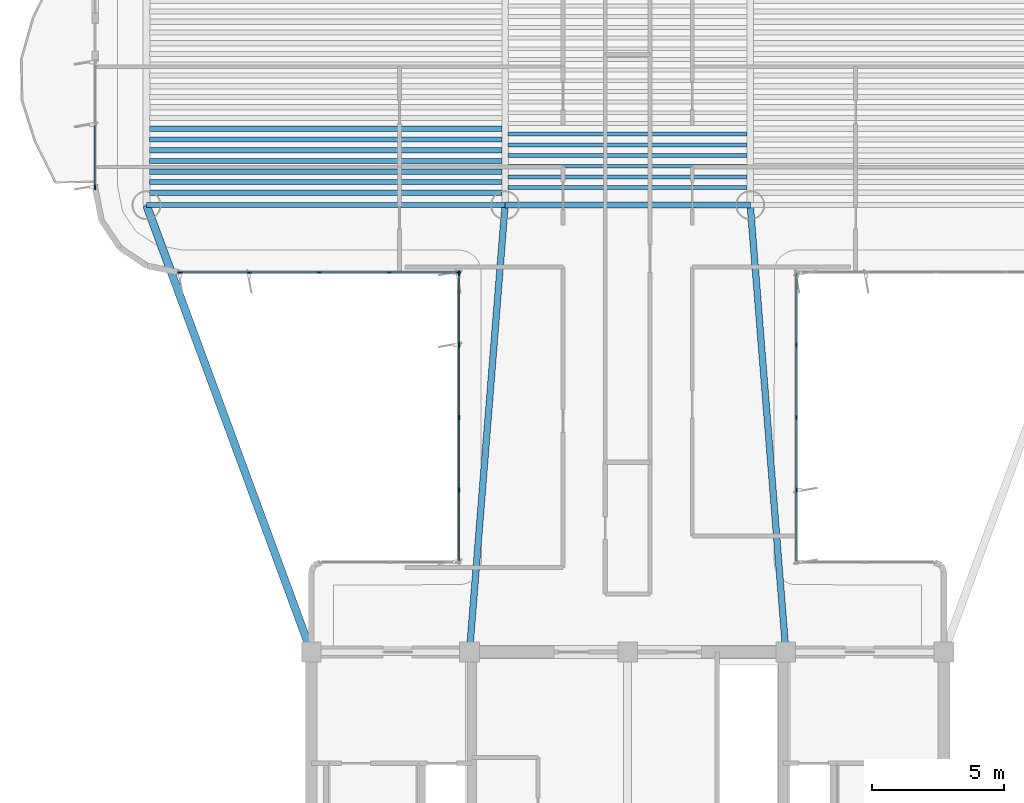
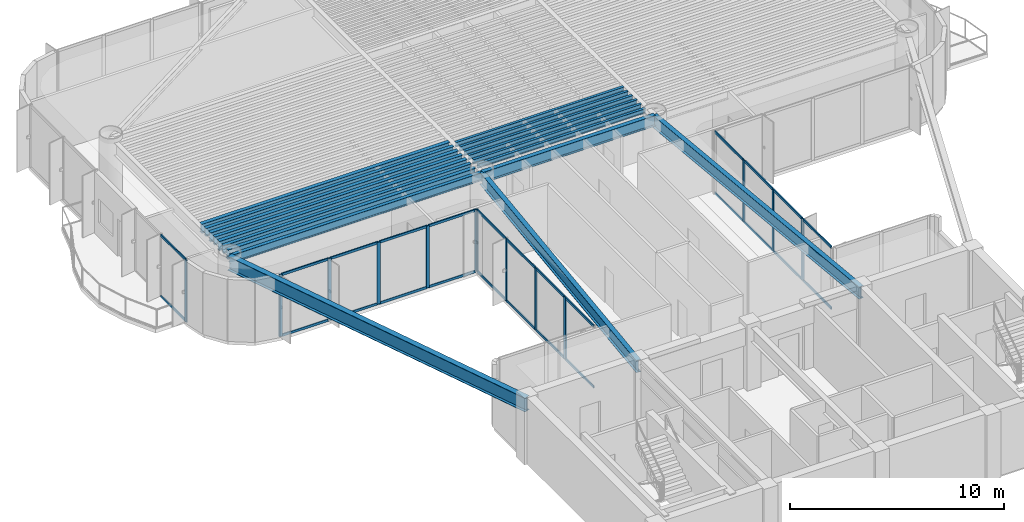
# One storey, part 3 of 14: 39 members, 18 beams, 4 elements without a shape of their own.
"""IFC4 building model written with IfcOpenShell, lengths in metres."""

from ifc_helpers import new_model, si_unit, direction, frame, origin, origin_2d, place, context, subcontext, project, spatial, rectangle, i_section, extrude, source, transform, mapped, material, layer, layer_set, material_profile, profile_set, type_object, element, aggregate, save


model = new_model("IFC4")

# Units and contexts
model_context = context("Model", 3, precision=1e-05, world=origin(), true_north=direction((0.0, 1.0)))
body_context = subcontext(model_context, "Body", "Model", "MODEL_VIEW")
ifc_project = project(units=[si_unit("LENGTHUNIT", "METRE"), si_unit("AREAUNIT", "SQUARE_METRE"), si_unit("VOLUMEUNIT", "CUBIC_METRE"), si_unit("PLANEANGLEUNIT", "RADIAN"), si_unit("MASSUNIT", "GRAM", prefix="KILO")], contexts=[model_context])

# Site, building, storey
site_placement = place(None, origin())
site = spatial("IfcSite", under=ifc_project, at=site_placement, CompositionType="ELEMENT")
building_placement = place(site_placement, origin())
building = spatial("IfcBuilding", under=site, at=building_placement, Name="Brelvock Crest Care Tower", CompositionType="ELEMENT")
storey_placement = place(building_placement, frame((0.0, 0.0, 182.8798828125)))
storey = spatial("IfcBuildingStorey", under=building, at=storey_placement, Name="L46", CompositionType="ELEMENT", Elevation=182.8798828125)

# Beams
ifc_material_1 = material(Name="Steel Grade 350", Category="steel")
ifc_material_profile_1 = material_profile(ifc_material_1, i_section(OverallWidth=0.22900390625, OverallDepth=0.612060546875, WebThickness=0.011962890625, FlangeThickness=0.01953125, FilletRadius=0.013916015625, at=origin_2d()), Name="610UB125")
ifc_profile_set_1 = profile_set([ifc_material_profile_1], Name="Steel Grade 350")
beam_type_1 = type_object("IfcBeamType", Name="BM-G1", PredefinedType="BEAM", material=ifc_profile_set_1)
shared_shape_1 = source(origin(), body_context, "Body", "SweptSolid", [
    extrude(i_section(OverallWidth=0.22900390625, OverallDepth=0.612060546875, WebThickness=0.011962890625, FlangeThickness=0.01953125, FilletRadius=0.013916015625, at=origin_2d()), origin(), (0.0, 0.0, 1.0), 9.2998046875),
])
beam_1_placement = place(storey_placement, frame((31.35009765625, 34.949951171875, 3.22412109375), z_axis=(1.0, 0.0, 0.0), x_axis=(0.0, 1.0, 0.0)))
element("IfcBeam", 1, at=beam_1_placement, inside=storey, type_object=beam_type_1, Name="BM-TWR-L46-05", PredefinedType="BEAM", context=body_context, shape_type="MappedRepresentation", body=[
    mapped(shared_shape_1, transform((0.0, 0.0, 0.0), x_axis=(1.0, 0.0, 0.0), y_axis=(0.0, 1.0, 0.0), z_axis=(0.0, 0.0, 1.0), scale=1.0)),
])
ifc_material_profile_2 = material_profile(ifc_material_1, i_section(OverallWidth=0.14599609375, OverallDepth=0.256103515625, WebThickness=0.00634765625, FlangeThickness=0.010986328125, FilletRadius=0.0087890625, at=origin_2d()), Name="250UB37.3")
ifc_profile_set_2 = profile_set([ifc_material_profile_2], Name="Steel Grade 350")
beam_type_2 = type_object("IfcBeamType", Name="BM-J3", PredefinedType="JOIST", material=ifc_profile_set_2)
shared_shape_2 = source(origin(), body_context, "Body", "SweptSolid", [
    extrude(i_section(OverallWidth=0.14599609375, OverallDepth=0.256103515625, WebThickness=0.00634765625, FlangeThickness=0.010986328125, FilletRadius=0.0087890625, at=origin_2d()), origin(), (0.0, 0.0, 1.0), 9.06982421875),
])
for number, where, z_axis, x_axis, name in (
    (2, (31.465087890625, 35.618896484375, 3.402099609375), (1.0, 0.0, 0.0), (0.0, 1.0, 0.0), "BM-JH-L46-1"),
    (3, (31.465087890625, 36.02392578125, 3.402099609375), (1.0, 0.0, 0.0), (0.0, 1.0, 0.0), "BM-JH-L46-2"),
    (4, (31.465087890625, 36.42919921875, 3.402099609375), (1.0, 0.0, 0.0), (0.0, 1.0, 0.0), "BM-JH-L46-3"),
    (5, (31.465087890625, 36.834228515625, 3.402099609375), (1.0, 0.0, 0.0), (0.0, 1.0, 0.0), "BM-JH-L46-4"),
    (6, (31.465087890625, 37.239501953125, 3.402099609375), (1.0, 0.0, 0.0), (0.0, 1.0, 0.0), "BM-JH-L46-5"),
    (7, (31.465087890625, 37.64453125, 3.402099609375), (1.0, 0.0, 0.0), (0.0, 1.0, 0.0), "BM-JH-L46-6"),
):
    element("IfcBeam", number, at=place(storey_placement, frame(where, z_axis=z_axis, x_axis=x_axis)), inside=storey, type_object=beam_type_2, Name=name, PredefinedType="JOIST", context=body_context, shape_type="MappedRepresentation", body=[
        mapped(shared_shape_2, transform((0.0, 0.0, 0.0), x_axis=(1.0, 0.0, 0.0), y_axis=(0.0, 1.0, 0.0), z_axis=(0.0, 0.0, 1.0), scale=1.0)),
    ])
ifc_material_profile_3 = material_profile(ifc_material_1, i_section(OverallWidth=0.208984375, OverallDepth=0.532958984375, WebThickness=0.01025390625, FlangeThickness=0.015625, FilletRadius=0.013916015625, at=origin_2d()), Name="530UB92.4")
ifc_profile_set_3 = profile_set([ifc_material_profile_3], Name="Steel Grade 350")
beam_type_3 = type_object("IfcBeamType", Name="BM-G2", PredefinedType="BEAM", material=ifc_profile_set_3)
shared_shape_3 = source(origin(), body_context, "Body", "SweptSolid", [
    extrude(i_section(OverallWidth=0.208984375, OverallDepth=0.532958984375, WebThickness=0.01025390625, FlangeThickness=0.015625, FilletRadius=0.013916015625, at=origin_2d()), origin(), (0.0, 0.0, 1.0), 13.3701171875),
])
for number, where, z_axis, x_axis, name in (
    (8, (17.864990234375, 35.416259765625, 3.263671875), (1.0, 0.0, 0.0), (0.0, 1.0, 0.0), "BM-JW-L46-1"),
    (9, (17.864990234375, 36.2265625, 3.263671875), (1.0, 0.0, 0.0), (0.0, 1.0, 0.0), "BM-JW-L46-3"),
    (10, (17.864990234375, 37.036865234375, 3.263671875), (1.0, 0.0, 0.0), (0.0, 1.0, 0.0), "BM-JW-L46-5"),
    (11, (17.864990234375, 37.84716796875, 3.263671875), (1.0, 0.0, 0.0), (0.0, 1.0, 0.0), "BM-JW-L46-7"),
):
    element("IfcBeam", number, at=place(storey_placement, frame(where, z_axis=z_axis, x_axis=x_axis)), inside=storey, type_object=beam_type_3, Name=name, PredefinedType="BEAM", context=body_context, shape_type="MappedRepresentation", body=[
        mapped(shared_shape_3, transform((0.0, 0.0, 0.0), x_axis=(1.0, 0.0, 0.0), y_axis=(0.0, 1.0, 0.0), z_axis=(0.0, 0.0, 1.0), scale=1.0)),
    ])
ifc_material_profile_4 = material_profile(ifc_material_1, i_section(OverallWidth=0.19091796875, OverallDepth=0.4599609375, WebThickness=0.010009765625, FlangeThickness=0.01611328125, FilletRadius=0.011474609375, at=origin_2d()), Name="460UB82.1")
ifc_profile_set_4 = profile_set([ifc_material_profile_4], Name="Steel Grade 350")
beam_type_4 = type_object("IfcBeamType", Name="BM-G3", PredefinedType="BEAM", material=ifc_profile_set_4)
shared_shape_4 = source(origin(), body_context, "Body", "SweptSolid", [
    extrude(i_section(OverallWidth=0.19091796875, OverallDepth=0.4599609375, WebThickness=0.010009765625, FlangeThickness=0.01611328125, FilletRadius=0.011474609375, at=origin_2d()), origin(), (0.0, 0.0, 1.0), 13.3701171875),
])
for number, where, z_axis, x_axis, name in (
    (12, (17.864990234375, 35.8212890625, 3.300048828125), (1.0, 0.0, 0.0), (0.0, 1.0, 0.0), "BM-JW-L46-2"),
    (13, (17.864990234375, 36.631591796875, 3.300048828125), (1.0, 0.0, 0.0), (0.0, 1.0, 0.0), "BM-JW-L46-4"),
    (14, (17.864990234375, 37.44189453125, 3.300048828125), (1.0, 0.0, 0.0), (0.0, 1.0, 0.0), "BM-JW-L46-6"),
):
    element("IfcBeam", number, at=place(storey_placement, frame(where, z_axis=z_axis, x_axis=x_axis)), inside=storey, type_object=beam_type_4, Name=name, PredefinedType="BEAM", context=body_context, shape_type="MappedRepresentation", body=[
        mapped(shared_shape_4, transform((0.0, 0.0, 0.0), x_axis=(1.0, 0.0, 0.0), y_axis=(0.0, 1.0, 0.0), z_axis=(0.0, 0.0, 1.0), scale=1.0)),
    ])
ifc_material_profile_5 = material_profile(ifc_material_1, i_section(OverallWidth=0.19091796875, OverallDepth=0.4599609375, WebThickness=0.010009765625, FlangeThickness=0.01611328125, FilletRadius=0.011474609375, at=origin_2d()), Name="460UB82.1")
ifc_profile_set_5 = profile_set([ifc_material_profile_5], Name="Steel Grade 350")
beam_type_5 = type_object("IfcBeamType", Name="BM-SP2", PredefinedType="SPANDREL", material=ifc_profile_set_5)
shared_shape_5 = source(origin(), body_context, "Body", "SweptSolid", [
    extrude(i_section(OverallWidth=0.19091796875, OverallDepth=0.4599609375, WebThickness=0.010009765625, FlangeThickness=0.01611328125, FilletRadius=0.011474609375, at=origin_2d()), origin(), (0.0, 0.0, 1.0), 13.60009765625),
])
beam_2_placement = place(storey_placement, frame((17.75, 34.949951171875, 3.300048828125), z_axis=(1.0, 0.0, 0.0), x_axis=(0.0, 1.0, 0.0)))
element("IfcBeam", 15, at=beam_2_placement, inside=storey, type_object=beam_type_5, Name="BM-TWR-L46-03", PredefinedType="SPANDREL", context=body_context, shape_type="MappedRepresentation", body=[
    mapped(shared_shape_5, transform((0.0, 0.0, 0.0), x_axis=(1.0, 0.0, 0.0), y_axis=(0.0, 1.0, 0.0), z_axis=(0.0, 0.0, 1.0), scale=1.0)),
])
ifc_material_profile_6 = material_profile(ifc_material_1, i_section(OverallWidth=0.25, OverallDepth=0.699951171875, WebThickness=0.011962890625, FlangeThickness=0.02001953125, at=origin_2d()), Name="700WB150")
ifc_profile_set_6 = profile_set([ifc_material_profile_6], Name="Steel Grade 350")
beam_type_6 = type_object("IfcBeamType", Name="BM-G4", PredefinedType="BEAM", material=ifc_profile_set_6)
shared_shape_6 = source(origin(), body_context, "Body", "SweptSolid", [
    extrude(i_section(OverallWidth=0.25, OverallDepth=0.699951171875, WebThickness=0.011962890625, FlangeThickness=0.02001953125, at=origin_2d()), origin(), (0.0, 0.0, 1.0), 17.003662109375),
])
for number, where, z_axis, x_axis, name in (
    (16, (30.0, 18.0, 3.18017578125), (0.079400530776, 0.996842793881, 0.0), (-0.996842793881, 0.079400530776, 0.0), "BM-THRW-L46"),
    (17, (42.0, 18.0, 3.18017578125), (-0.079400530776, 0.996842793881, 0.0), (-0.996842793881, -0.079400530776, 0.0), "BM-THRE-L46"),
):
    element("IfcBeam", number, at=place(storey_placement, frame(where, z_axis=z_axis, x_axis=x_axis)), inside=storey, type_object=beam_type_6, Name=name, PredefinedType="BEAM", context=body_context, shape_type="MappedRepresentation", body=[
        mapped(shared_shape_6, transform((0.0, 0.0, 0.0), x_axis=(1.0, 0.0, 0.0), y_axis=(0.0, 1.0, 0.0), z_axis=(0.0, 0.0, 1.0), scale=1.0)),
    ])
ifc_material_profile_7 = material_profile(ifc_material_1, i_section(OverallWidth=0.300048828125, OverallDepth=0.800048828125, WebThickness=0.013916015625, FlangeThickness=0.02197265625, at=origin_2d()), Name="800WB192")
ifc_profile_set_7 = profile_set([ifc_material_profile_7], Name="Steel Grade 350")
beam_type_7 = type_object("IfcBeamType", Name="BM-G5", PredefinedType="BEAM", material=ifc_profile_set_7)
shared_shape_7 = source(origin(), body_context, "Body", "SweptSolid", [
    extrude(i_section(OverallWidth=0.300048828125, OverallDepth=0.800048828125, WebThickness=0.013916015625, FlangeThickness=0.02197265625, at=origin_2d()), origin(), (0.0, 0.0, 1.0), 18.0654296875),
])
beam_3_placement = place(storey_placement, frame((24.0, 18.0, 3.130126953125), z_axis=(-0.345962741309, 0.938248251597, 0.0), x_axis=(-0.938248251597, -0.345962741309, 0.0)))
element("IfcBeam", 18, at=beam_3_placement, inside=storey, type_object=beam_type_7, Name="BM-THRO-W-L46", PredefinedType="BEAM", context=body_context, shape_type="MappedRepresentation", body=[
    mapped(shared_shape_7, transform((0.0, 0.0, 0.0), x_axis=(1.0, 0.0, 0.0), y_axis=(0.0, 1.0, 0.0), z_axis=(0.0, 0.0, 1.0), scale=1.0)),
])

# Curtain wall, members
ifc_material_2 = material(Name="Dark Glass Double Glazed Low-E", Category="glass")
ifc_layer = layer(ifc_material_2, 0.22509765625, Name="CWS-4")
ifc_layer_set = layer_set([ifc_layer], Name="Dark Glass Double Glazed Low-E")
curtain_wall_type = type_object("IfcCurtainWallType", Name="CWS-4", PredefinedType="NOTDEFINED", material=ifc_layer_set)
curtain_wall_1_placement = place(storey_placement, origin())
curtain_wall_1 = element("IfcCurtainWall", 19, at=curtain_wall_1_placement, inside=storey, type_object=curtain_wall_type, Name="L46 Curtain Wall E11", PredefinedType="NOTDEFINED")
ifc_material_3 = material(Name="Aluminium 6063-T6", Category="aluminium")
ifc_material_profile_8 = material_profile(ifc_material_3, rectangle(XDim=0.06005859375, YDim=0.179931640625, at=origin_2d()), Name="ALU60x180")
ifc_profile_set_8 = profile_set([ifc_material_profile_8], Name="Aluminium 6063-T6")
member_type_1 = type_object("IfcMemberType", Name="CWM-2", PredefinedType="MULLION", material=ifc_profile_set_8)
shared_shape_8 = source(origin(), body_context, "Body", "SweptSolid", [
    extrude(rectangle(XDim=0.06005859375, YDim=0.179931640625, at=origin_2d()), origin(), (0.0, 0.0, 1.0), 3.530029296875),
])
member_1_placement = place(storey_placement, frame((29.60009765625, 24.14990234375, 0.0), z_axis=(0.0, 0.0, 1.0), x_axis=(-1.0, 0.0, 0.0)))
member_1 = element("IfcMember", 20, at=member_1_placement, type_object=member_type_1, Name="CW-4 mullion 2", PredefinedType="MULLION", context=body_context, shape_type="MappedRepresentation", body=[
    mapped(shared_shape_8, transform((0.0, 0.0, 0.0), x_axis=(1.0, 0.0, 0.0), y_axis=(0.0, 1.0, 0.0), z_axis=(0.0, 0.0, 1.0), scale=1.0)),
])
member_2_placement = place(storey_placement, frame((29.60009765625, 26.89990234375, 0.0), z_axis=(0.0, 0.0, 1.0), x_axis=(-1.0, 0.0, 0.0)))
member_2 = element("IfcMember", 21, at=member_2_placement, type_object=member_type_1, Name="CW-4 mullion 3", PredefinedType="MULLION", context=body_context, shape_type="MappedRepresentation", body=[
    mapped(shared_shape_8, transform((0.0, 0.0, 0.0), x_axis=(1.0, 0.0, 0.0), y_axis=(0.0, 1.0, 0.0), z_axis=(0.0, 0.0, 1.0), scale=1.0)),
])
member_3_placement = place(storey_placement, frame((29.60009765625, 29.64990234375, 0.0), z_axis=(0.0, 0.0, 1.0), x_axis=(-1.0, 0.0, 0.0)))
member_3 = element("IfcMember", 22, at=member_3_placement, type_object=member_type_1, Name="CW-4 mullion 4", PredefinedType="MULLION", context=body_context, shape_type="MappedRepresentation", body=[
    mapped(shared_shape_8, transform((0.0, 0.0, 0.0), x_axis=(1.0, 0.0, 0.0), y_axis=(0.0, 1.0, 0.0), z_axis=(0.0, 0.0, 1.0), scale=1.0)),
])
member_4_placement = place(storey_placement, frame((29.60009765625, 32.3701171875, 0.0), z_axis=(0.0, 0.0, 1.0), x_axis=(-1.0, 0.0, 0.0)))
member_4 = element("IfcMember", 23, at=member_4_placement, type_object=member_type_1, Name="CW-4 mullion 5", PredefinedType="MULLION", context=body_context, shape_type="MappedRepresentation", body=[
    mapped(shared_shape_8, transform((0.0, 0.0, 0.0), x_axis=(1.0, 0.0, 0.0), y_axis=(0.0, 1.0, 0.0), z_axis=(0.0, 0.0, 1.0), scale=1.0)),
])

curtain_wall_2_placement = place(storey_placement, origin())
curtain_wall_2 = element("IfcCurtainWall", 24, at=curtain_wall_2_placement, inside=storey, type_object=curtain_wall_type, Name="L46 Curtain Wall E12", PredefinedType="NOTDEFINED")
member_5_placement = place(storey_placement, frame((29.570068359375, 32.39990234375, 0.0), z_axis=(0.0, 0.0, 1.0), x_axis=(0.0, -1.0, 0.0)))
member_5 = element("IfcMember", 25, at=member_5_placement, type_object=member_type_1, Name="CW-4 mullion 1", PredefinedType="MULLION", context=body_context, shape_type="MappedRepresentation", body=[
    mapped(shared_shape_8, transform((0.0, 0.0, 0.0), x_axis=(1.0, 0.0, 0.0), y_axis=(0.0, 1.0, 0.0), z_axis=(0.0, 0.0, 1.0), scale=1.0)),
])
member_6_placement = place(storey_placement, frame((26.949951171875, 32.39990234375, 0.0), z_axis=(0.0, 0.0, 1.0), x_axis=(0.0, -1.0, 0.0)))
member_6 = element("IfcMember", 26, at=member_6_placement, type_object=member_type_1, Name="CW-4 mullion 2", PredefinedType="MULLION", context=body_context, shape_type="MappedRepresentation", body=[
    mapped(shared_shape_8, transform((0.0, 0.0, 0.0), x_axis=(1.0, 0.0, 0.0), y_axis=(0.0, 1.0, 0.0), z_axis=(0.0, 0.0, 1.0), scale=1.0)),
])
member_7_placement = place(storey_placement, frame((24.300048828125, 32.39990234375, 0.0), z_axis=(0.0, 0.0, 1.0), x_axis=(0.0, -1.0, 0.0)))
member_7 = element("IfcMember", 27, at=member_7_placement, type_object=member_type_1, Name="CW-4 mullion 3", PredefinedType="MULLION", context=body_context, shape_type="MappedRepresentation", body=[
    mapped(shared_shape_8, transform((0.0, 0.0, 0.0), x_axis=(1.0, 0.0, 0.0), y_axis=(0.0, 1.0, 0.0), z_axis=(0.0, 0.0, 1.0), scale=1.0)),
])
member_8_placement = place(storey_placement, frame((21.64990234375, 32.39990234375, 0.0), z_axis=(0.0, 0.0, 1.0), x_axis=(0.0, -1.0, 0.0)))
member_8 = element("IfcMember", 28, at=member_8_placement, type_object=member_type_1, Name="CW-4 mullion 4", PredefinedType="MULLION", context=body_context, shape_type="MappedRepresentation", body=[
    mapped(shared_shape_8, transform((0.0, 0.0, 0.0), x_axis=(1.0, 0.0, 0.0), y_axis=(0.0, 1.0, 0.0), z_axis=(0.0, 0.0, 1.0), scale=1.0)),
])
member_9_placement = place(storey_placement, frame((19.030029296875, 32.39990234375, 0.0), z_axis=(0.0, 0.0, 1.0), x_axis=(0.0, -1.0, 0.0)))
member_9 = element("IfcMember", 29, at=member_9_placement, type_object=member_type_1, Name="CW-4 mullion 5", PredefinedType="MULLION", context=body_context, shape_type="MappedRepresentation", body=[
    mapped(shared_shape_8, transform((0.0, 0.0, 0.0), x_axis=(1.0, 0.0, 0.0), y_axis=(0.0, 1.0, 0.0), z_axis=(0.0, 0.0, 1.0), scale=1.0)),
])

# Curtain wall, member
curtain_wall_3_placement = place(storey_placement, origin())
curtain_wall_3 = element("IfcCurtainWall", 30, at=curtain_wall_3_placement, inside=storey, type_object=curtain_wall_type, Name="L46 Curtain Wall E17A", PredefinedType="NOTDEFINED")
member_10_placement = place(storey_placement, frame((15.800048828125, 35.6298828125, 0.0), z_axis=(0.0, 0.0, 1.0), x_axis=(-1.0, 0.0, 0.0)))
member_10 = element("IfcMember", 31, at=member_10_placement, type_object=member_type_1, Name="CW-4 mullion 1", PredefinedType="MULLION", context=body_context, shape_type="MappedRepresentation", body=[
    mapped(shared_shape_8, transform((0.0, 0.0, 0.0), x_axis=(1.0, 0.0, 0.0), y_axis=(0.0, 1.0, 0.0), z_axis=(0.0, 0.0, 1.0), scale=1.0)),
])

# Curtain wall, members
curtain_wall_4_placement = place(storey_placement, origin())
curtain_wall_4 = element("IfcCurtainWall", 32, at=curtain_wall_4_placement, inside=storey, type_object=curtain_wall_type, Name="L46 Curtain Wall E45", PredefinedType="NOTDEFINED")
member_11_placement = place(storey_placement, frame((42.39990234375, 29.64990234375, 0.0), z_axis=(0.0, 0.0, 1.0), x_axis=(1.0, 0.0, 0.0)))
member_11 = element("IfcMember", 33, at=member_11_placement, type_object=member_type_1, Name="CW-4 mullion 2", PredefinedType="MULLION", context=body_context, shape_type="MappedRepresentation", body=[
    mapped(shared_shape_8, transform((0.0, 0.0, 0.0), x_axis=(1.0, 0.0, 0.0), y_axis=(0.0, 1.0, 0.0), z_axis=(0.0, 0.0, 1.0), scale=1.0)),
])
member_12_placement = place(storey_placement, frame((42.39990234375, 26.89990234375, 0.0), z_axis=(0.0, 0.0, 1.0), x_axis=(1.0, 0.0, 0.0)))
member_12 = element("IfcMember", 34, at=member_12_placement, type_object=member_type_1, Name="CW-4 mullion 3", PredefinedType="MULLION", context=body_context, shape_type="MappedRepresentation", body=[
    mapped(shared_shape_8, transform((0.0, 0.0, 0.0), x_axis=(1.0, 0.0, 0.0), y_axis=(0.0, 1.0, 0.0), z_axis=(0.0, 0.0, 1.0), scale=1.0)),
])
member_13_placement = place(storey_placement, frame((42.39990234375, 24.14990234375, 0.0), z_axis=(0.0, 0.0, 1.0), x_axis=(1.0, 0.0, 0.0)))
member_13 = element("IfcMember", 35, at=member_13_placement, type_object=member_type_1, Name="CW-4 mullion 4", PredefinedType="MULLION", context=body_context, shape_type="MappedRepresentation", body=[
    mapped(shared_shape_8, transform((0.0, 0.0, 0.0), x_axis=(1.0, 0.0, 0.0), y_axis=(0.0, 1.0, 0.0), z_axis=(0.0, 0.0, 1.0), scale=1.0)),
])

# Member
ifc_material_profile_9 = material_profile(ifc_material_3, rectangle(XDim=0.06005859375, YDim=0.139892578125, at=origin_2d()), Name="ALU60x140")
ifc_profile_set_9 = profile_set([ifc_material_profile_9], Name="Aluminium 6063-T6")
member_type_2 = type_object("IfcMemberType", Name="CWT-2", PredefinedType="USERDEFINED", material=ifc_profile_set_9)
shared_shape_9 = source(origin(), body_context, "Body", "SweptSolid", [
    extrude(rectangle(XDim=0.06005859375, YDim=0.139892578125, at=origin_2d()), origin(), (0.0, 0.0, 1.0), 2.66015625),
])
member_14_placement = place(storey_placement, frame((29.60009765625, 21.4599609375, 0.030029296875), z_axis=(0.0, 1.0, 0.0), x_axis=(-1.0, 0.0, 0.0)))
member_14 = element("IfcMember", 36, at=member_14_placement, type_object=member_type_2, Name="CW-4 transom 1.1", ObjectType="TRANSOM", PredefinedType="USERDEFINED", context=body_context, shape_type="MappedRepresentation", body=[
    mapped(shared_shape_9, transform((0.0, 0.0, 0.0), x_axis=(1.0, 0.0, 0.0), y_axis=(0.0, 1.0, 0.0), z_axis=(0.0, 0.0, 1.0), scale=1.0)),
])

member_15_placement = place(storey_placement, frame((29.60009765625, 21.4599609375, 3.5), z_axis=(0.0, 1.0, 0.0), x_axis=(-1.0, 0.0, 0.0)))
member_15 = element("IfcMember", 37, at=member_15_placement, type_object=member_type_2, Name="CW-4 transom 1.2", ObjectType="TRANSOM", PredefinedType="USERDEFINED", context=body_context, shape_type="MappedRepresentation", body=[
    mapped(shared_shape_9, transform((0.0, 0.0, 0.0), x_axis=(1.0, 0.0, 0.0), y_axis=(0.0, 1.0, 0.0), z_axis=(0.0, 0.0, 1.0), scale=1.0)),
])

member_16_placement = place(storey_placement, frame((29.60009765625, 29.679931640625, 0.030029296875), z_axis=(0.0, 1.0, 0.0), x_axis=(-1.0, 0.0, 0.0)))
member_16 = element("IfcMember", 38, at=member_16_placement, type_object=member_type_2, Name="CW-4 transom 4.1", ObjectType="TRANSOM", PredefinedType="USERDEFINED", context=body_context, shape_type="MappedRepresentation", body=[
    mapped(shared_shape_9, transform((0.0, 0.0, 0.0), x_axis=(1.0, 0.0, 0.0), y_axis=(0.0, 1.0, 0.0), z_axis=(0.0, 0.0, 1.0), scale=1.0)),
])

member_17_placement = place(storey_placement, frame((29.60009765625, 29.679931640625, 3.5), z_axis=(0.0, 1.0, 0.0), x_axis=(-1.0, 0.0, 0.0)))
member_17 = element("IfcMember", 39, at=member_17_placement, type_object=member_type_2, Name="CW-4 transom 4.2", ObjectType="TRANSOM", PredefinedType="USERDEFINED", context=body_context, shape_type="MappedRepresentation", body=[
    mapped(shared_shape_9, transform((0.0, 0.0, 0.0), x_axis=(1.0, 0.0, 0.0), y_axis=(0.0, 1.0, 0.0), z_axis=(0.0, 0.0, 1.0), scale=1.0)),
])

member_18_placement = place(storey_placement, frame((42.39990234375, 32.340087890625, 0.030029296875), z_axis=(0.0, -1.0, 0.0), x_axis=(1.0, 0.0, 0.0)))
member_18 = element("IfcMember", 40, at=member_18_placement, type_object=member_type_2, Name="CW-4 transom 1.1", ObjectType="TRANSOM", PredefinedType="USERDEFINED", context=body_context, shape_type="MappedRepresentation", body=[
    mapped(shared_shape_9, transform((0.0, 0.0, 0.0), x_axis=(1.0, 0.0, 0.0), y_axis=(0.0, 1.0, 0.0), z_axis=(0.0, 0.0, 1.0), scale=1.0)),
])

member_19_placement = place(storey_placement, frame((42.39990234375, 32.340087890625, 3.5), z_axis=(0.0, -1.0, 0.0), x_axis=(1.0, 0.0, 0.0)))
member_19 = element("IfcMember", 41, at=member_19_placement, type_object=member_type_2, Name="CW-4 transom 1.2", ObjectType="TRANSOM", PredefinedType="USERDEFINED", context=body_context, shape_type="MappedRepresentation", body=[
    mapped(shared_shape_9, transform((0.0, 0.0, 0.0), x_axis=(1.0, 0.0, 0.0), y_axis=(0.0, 1.0, 0.0), z_axis=(0.0, 0.0, 1.0), scale=1.0)),
])

member_20_placement = place(storey_placement, frame((42.39990234375, 24.1201171875, 0.030029296875), z_axis=(0.0, -1.0, 0.0), x_axis=(1.0, 0.0, 0.0)))
member_20 = element("IfcMember", 42, at=member_20_placement, type_object=member_type_2, Name="CW-4 transom 4.1", ObjectType="TRANSOM", PredefinedType="USERDEFINED", context=body_context, shape_type="MappedRepresentation", body=[
    mapped(shared_shape_9, transform((0.0, 0.0, 0.0), x_axis=(1.0, 0.0, 0.0), y_axis=(0.0, 1.0, 0.0), z_axis=(0.0, 0.0, 1.0), scale=1.0)),
])

member_21_placement = place(storey_placement, frame((42.39990234375, 24.1201171875, 3.5), z_axis=(0.0, -1.0, 0.0), x_axis=(1.0, 0.0, 0.0)))
member_21 = element("IfcMember", 43, at=member_21_placement, type_object=member_type_2, Name="CW-4 transom 4.2", ObjectType="TRANSOM", PredefinedType="USERDEFINED", context=body_context, shape_type="MappedRepresentation", body=[
    mapped(shared_shape_9, transform((0.0, 0.0, 0.0), x_axis=(1.0, 0.0, 0.0), y_axis=(0.0, 1.0, 0.0), z_axis=(0.0, 0.0, 1.0), scale=1.0)),
])

shared_shape_10 = source(origin(), body_context, "Body", "SweptSolid", [
    extrude(rectangle(XDim=0.06005859375, YDim=0.139892578125, at=origin_2d()), origin(), (0.0, 0.0, 1.0), 2.690185546875),
])
member_22_placement = place(storey_placement, frame((29.60009765625, 24.179931640625, 0.030029296875), z_axis=(0.0, 1.0, 0.0), x_axis=(-1.0, 0.0, 0.0)))
member_22 = element("IfcMember", 44, at=member_22_placement, type_object=member_type_2, Name="CW-4 transom 2.1", ObjectType="TRANSOM", PredefinedType="USERDEFINED", context=body_context, shape_type="MappedRepresentation", body=[
    mapped(shared_shape_10, transform((0.0, 0.0, 0.0), x_axis=(1.0, 0.0, 0.0), y_axis=(0.0, 1.0, 0.0), z_axis=(0.0, 0.0, 1.0), scale=1.0)),
])

member_23_placement = place(storey_placement, frame((29.60009765625, 24.179931640625, 3.5), z_axis=(0.0, 1.0, 0.0), x_axis=(-1.0, 0.0, 0.0)))
member_23 = element("IfcMember", 45, at=member_23_placement, type_object=member_type_2, Name="CW-4 transom 2.2", ObjectType="TRANSOM", PredefinedType="USERDEFINED", context=body_context, shape_type="MappedRepresentation", body=[
    mapped(shared_shape_10, transform((0.0, 0.0, 0.0), x_axis=(1.0, 0.0, 0.0), y_axis=(0.0, 1.0, 0.0), z_axis=(0.0, 0.0, 1.0), scale=1.0)),
])

member_24_placement = place(storey_placement, frame((29.60009765625, 26.929931640625, 0.030029296875), z_axis=(0.0, 1.0, 0.0), x_axis=(-1.0, 0.0, 0.0)))
member_24 = element("IfcMember", 46, at=member_24_placement, type_object=member_type_2, Name="CW-4 transom 3.1", ObjectType="TRANSOM", PredefinedType="USERDEFINED", context=body_context, shape_type="MappedRepresentation", body=[
    mapped(shared_shape_10, transform((0.0, 0.0, 0.0), x_axis=(1.0, 0.0, 0.0), y_axis=(0.0, 1.0, 0.0), z_axis=(0.0, 0.0, 1.0), scale=1.0)),
])

member_25_placement = place(storey_placement, frame((29.60009765625, 26.929931640625, 3.5), z_axis=(0.0, 1.0, 0.0), x_axis=(-1.0, 0.0, 0.0)))
member_25 = element("IfcMember", 47, at=member_25_placement, type_object=member_type_2, Name="CW-4 transom 3.2", ObjectType="TRANSOM", PredefinedType="USERDEFINED", context=body_context, shape_type="MappedRepresentation", body=[
    mapped(shared_shape_10, transform((0.0, 0.0, 0.0), x_axis=(1.0, 0.0, 0.0), y_axis=(0.0, 1.0, 0.0), z_axis=(0.0, 0.0, 1.0), scale=1.0)),
])

aggregate(curtain_wall_1, [member_1, member_2, member_3, member_4, member_14, member_15, member_22, member_23, member_24, member_25, member_16, member_17])

member_26_placement = place(storey_placement, frame((42.39990234375, 29.6201171875, 0.030029296875), z_axis=(0.0, -1.0, 0.0), x_axis=(1.0, 0.0, 0.0)))
member_26 = element("IfcMember", 48, at=member_26_placement, type_object=member_type_2, Name="CW-4 transom 2.1", ObjectType="TRANSOM", PredefinedType="USERDEFINED", context=body_context, shape_type="MappedRepresentation", body=[
    mapped(shared_shape_10, transform((0.0, 0.0, 0.0), x_axis=(1.0, 0.0, 0.0), y_axis=(0.0, 1.0, 0.0), z_axis=(0.0, 0.0, 1.0), scale=1.0)),
])

member_27_placement = place(storey_placement, frame((42.39990234375, 29.6201171875, 3.5), z_axis=(0.0, -1.0, 0.0), x_axis=(1.0, 0.0, 0.0)))
member_27 = element("IfcMember", 49, at=member_27_placement, type_object=member_type_2, Name="CW-4 transom 2.2", ObjectType="TRANSOM", PredefinedType="USERDEFINED", context=body_context, shape_type="MappedRepresentation", body=[
    mapped(shared_shape_10, transform((0.0, 0.0, 0.0), x_axis=(1.0, 0.0, 0.0), y_axis=(0.0, 1.0, 0.0), z_axis=(0.0, 0.0, 1.0), scale=1.0)),
])

member_28_placement = place(storey_placement, frame((42.39990234375, 26.8701171875, 0.030029296875), z_axis=(0.0, -1.0, 0.0), x_axis=(1.0, 0.0, 0.0)))
member_28 = element("IfcMember", 50, at=member_28_placement, type_object=member_type_2, Name="CW-4 transom 3.1", ObjectType="TRANSOM", PredefinedType="USERDEFINED", context=body_context, shape_type="MappedRepresentation", body=[
    mapped(shared_shape_10, transform((0.0, 0.0, 0.0), x_axis=(1.0, 0.0, 0.0), y_axis=(0.0, 1.0, 0.0), z_axis=(0.0, 0.0, 1.0), scale=1.0)),
])

member_29_placement = place(storey_placement, frame((42.39990234375, 26.8701171875, 3.5), z_axis=(0.0, -1.0, 0.0), x_axis=(1.0, 0.0, 0.0)))
member_29 = element("IfcMember", 51, at=member_29_placement, type_object=member_type_2, Name="CW-4 transom 3.2", ObjectType="TRANSOM", PredefinedType="USERDEFINED", context=body_context, shape_type="MappedRepresentation", body=[
    mapped(shared_shape_10, transform((0.0, 0.0, 0.0), x_axis=(1.0, 0.0, 0.0), y_axis=(0.0, 1.0, 0.0), z_axis=(0.0, 0.0, 1.0), scale=1.0)),
])

aggregate(curtain_wall_4, [member_11, member_12, member_13, member_18, member_19, member_26, member_27, member_28, member_29, member_20, member_21])

shared_shape_11 = source(origin(), body_context, "Body", "SweptSolid", [
    extrude(rectangle(XDim=0.06005859375, YDim=0.139892578125, at=origin_2d()), origin(), (0.0, 0.0, 1.0), 2.56005859375),
])
member_30_placement = place(storey_placement, frame((29.5400390625, 32.39990234375, 0.030029296875), z_axis=(-1.0, 0.0, 0.0), x_axis=(0.0, -1.0, 0.0)))
member_30 = element("IfcMember", 52, at=member_30_placement, type_object=member_type_2, Name="CW-4 transom 1.1", ObjectType="TRANSOM", PredefinedType="USERDEFINED", context=body_context, shape_type="MappedRepresentation", body=[
    mapped(shared_shape_11, transform((0.0, 0.0, 0.0), x_axis=(1.0, 0.0, 0.0), y_axis=(0.0, 1.0, 0.0), z_axis=(0.0, 0.0, 1.0), scale=1.0)),
])

member_31_placement = place(storey_placement, frame((29.5400390625, 32.39990234375, 3.5), z_axis=(-1.0, 0.0, 0.0), x_axis=(0.0, -1.0, 0.0)))
member_31 = element("IfcMember", 53, at=member_31_placement, type_object=member_type_2, Name="CW-4 transom 1.2", ObjectType="TRANSOM", PredefinedType="USERDEFINED", context=body_context, shape_type="MappedRepresentation", body=[
    mapped(shared_shape_11, transform((0.0, 0.0, 0.0), x_axis=(1.0, 0.0, 0.0), y_axis=(0.0, 1.0, 0.0), z_axis=(0.0, 0.0, 1.0), scale=1.0)),
])

member_32_placement = place(storey_placement, frame((21.6201171875, 32.39990234375, 0.030029296875), z_axis=(-1.0, 0.0, 0.0), x_axis=(0.0, -1.0, 0.0)))
member_32 = element("IfcMember", 54, at=member_32_placement, type_object=member_type_2, Name="CW-4 transom 4.1", ObjectType="TRANSOM", PredefinedType="USERDEFINED", context=body_context, shape_type="MappedRepresentation", body=[
    mapped(shared_shape_11, transform((0.0, 0.0, 0.0), x_axis=(1.0, 0.0, 0.0), y_axis=(0.0, 1.0, 0.0), z_axis=(0.0, 0.0, 1.0), scale=1.0)),
])

member_33_placement = place(storey_placement, frame((21.6201171875, 32.39990234375, 3.5), z_axis=(-1.0, 0.0, 0.0), x_axis=(0.0, -1.0, 0.0)))
member_33 = element("IfcMember", 55, at=member_33_placement, type_object=member_type_2, Name="CW-4 transom 4.2", ObjectType="TRANSOM", PredefinedType="USERDEFINED", context=body_context, shape_type="MappedRepresentation", body=[
    mapped(shared_shape_11, transform((0.0, 0.0, 0.0), x_axis=(1.0, 0.0, 0.0), y_axis=(0.0, 1.0, 0.0), z_axis=(0.0, 0.0, 1.0), scale=1.0)),
])

shared_shape_12 = source(origin(), body_context, "Body", "SweptSolid", [
    extrude(rectangle(XDim=0.06005859375, YDim=0.139892578125, at=origin_2d()), origin(), (0.0, 0.0, 1.0), 2.58984375),
])
member_34_placement = place(storey_placement, frame((26.919921875, 32.39990234375, 0.030029296875), z_axis=(-1.0, 0.0, 0.0), x_axis=(0.0, -1.0, 0.0)))
member_34 = element("IfcMember", 56, at=member_34_placement, type_object=member_type_2, Name="CW-4 transom 2.1", ObjectType="TRANSOM", PredefinedType="USERDEFINED", context=body_context, shape_type="MappedRepresentation", body=[
    mapped(shared_shape_12, transform((0.0, 0.0, 0.0), x_axis=(1.0, 0.0, 0.0), y_axis=(0.0, 1.0, 0.0), z_axis=(0.0, 0.0, 1.0), scale=1.0)),
])

member_35_placement = place(storey_placement, frame((26.919921875, 32.39990234375, 3.5), z_axis=(-1.0, 0.0, 0.0), x_axis=(0.0, -1.0, 0.0)))
member_35 = element("IfcMember", 57, at=member_35_placement, type_object=member_type_2, Name="CW-4 transom 2.2", ObjectType="TRANSOM", PredefinedType="USERDEFINED", context=body_context, shape_type="MappedRepresentation", body=[
    mapped(shared_shape_12, transform((0.0, 0.0, 0.0), x_axis=(1.0, 0.0, 0.0), y_axis=(0.0, 1.0, 0.0), z_axis=(0.0, 0.0, 1.0), scale=1.0)),
])

shared_shape_13 = source(origin(), body_context, "Body", "SweptSolid", [
    extrude(rectangle(XDim=0.06005859375, YDim=0.139892578125, at=origin_2d()), origin(), (0.0, 0.0, 1.0), 2.590087890625),
])
member_36_placement = place(storey_placement, frame((24.27001953125, 32.39990234375, 0.030029296875), z_axis=(-1.0, 0.0, 0.0), x_axis=(0.0, -1.0, 0.0)))
member_36 = element("IfcMember", 58, at=member_36_placement, type_object=member_type_2, Name="CW-4 transom 3.1", ObjectType="TRANSOM", PredefinedType="USERDEFINED", context=body_context, shape_type="MappedRepresentation", body=[
    mapped(shared_shape_13, transform((0.0, 0.0, 0.0), x_axis=(1.0, 0.0, 0.0), y_axis=(0.0, 1.0, 0.0), z_axis=(0.0, 0.0, 1.0), scale=1.0)),
])

member_37_placement = place(storey_placement, frame((24.27001953125, 32.39990234375, 3.5), z_axis=(-1.0, 0.0, 0.0), x_axis=(0.0, -1.0, 0.0)))
member_37 = element("IfcMember", 59, at=member_37_placement, type_object=member_type_2, Name="CW-4 transom 3.2", ObjectType="TRANSOM", PredefinedType="USERDEFINED", context=body_context, shape_type="MappedRepresentation", body=[
    mapped(shared_shape_13, transform((0.0, 0.0, 0.0), x_axis=(1.0, 0.0, 0.0), y_axis=(0.0, 1.0, 0.0), z_axis=(0.0, 0.0, 1.0), scale=1.0)),
])

aggregate(curtain_wall_2, [member_5, member_6, member_7, member_8, member_9, member_30, member_31, member_34, member_35, member_36, member_37, member_32, member_33])

shared_shape_14 = source(origin(), body_context, "Body", "SweptSolid", [
    extrude(rectangle(XDim=0.06005859375, YDim=0.139892578125, at=origin_2d()), origin(), (0.0, 0.0, 1.0), 2.31005859375),
])
member_38_placement = place(storey_placement, frame((15.800048828125, 35.659912109375, 0.030029296875), z_axis=(0.0, 1.0, 0.0), x_axis=(-1.0, 0.0, 0.0)))
member_38 = element("IfcMember", 60, at=member_38_placement, type_object=member_type_2, Name="CW-4 transom 1.1", ObjectType="TRANSOM", PredefinedType="USERDEFINED", context=body_context, shape_type="MappedRepresentation", body=[
    mapped(shared_shape_14, transform((0.0, 0.0, 0.0), x_axis=(1.0, 0.0, 0.0), y_axis=(0.0, 1.0, 0.0), z_axis=(0.0, 0.0, 1.0), scale=1.0)),
])

member_39_placement = place(storey_placement, frame((15.800048828125, 35.659912109375, 3.5), z_axis=(0.0, 1.0, 0.0), x_axis=(-1.0, 0.0, 0.0)))
member_39 = element("IfcMember", 61, at=member_39_placement, type_object=member_type_2, Name="CW-4 transom 1.2", ObjectType="TRANSOM", PredefinedType="USERDEFINED", context=body_context, shape_type="MappedRepresentation", body=[
    mapped(shared_shape_14, transform((0.0, 0.0, 0.0), x_axis=(1.0, 0.0, 0.0), y_axis=(0.0, 1.0, 0.0), z_axis=(0.0, 0.0, 1.0), scale=1.0)),
])

aggregate(curtain_wall_3, [member_10, member_38, member_39])

save(model, "model.ifc")
